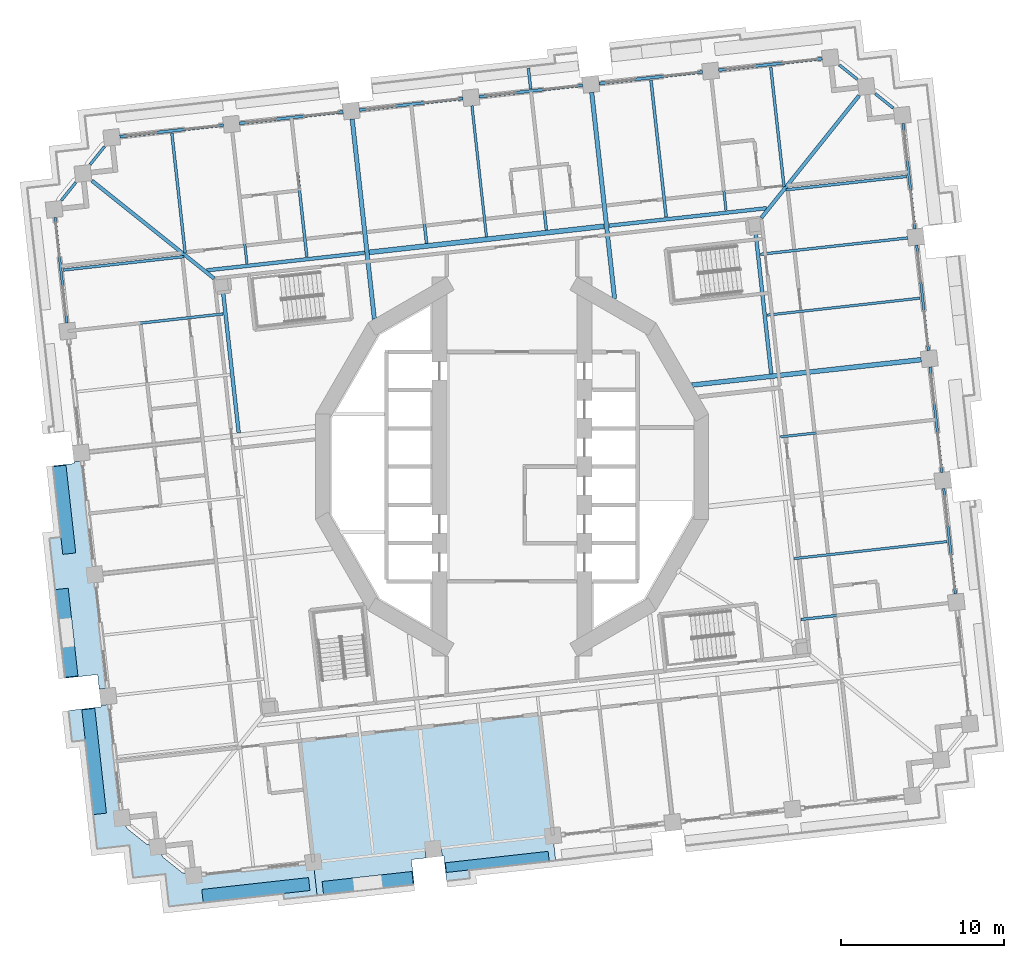
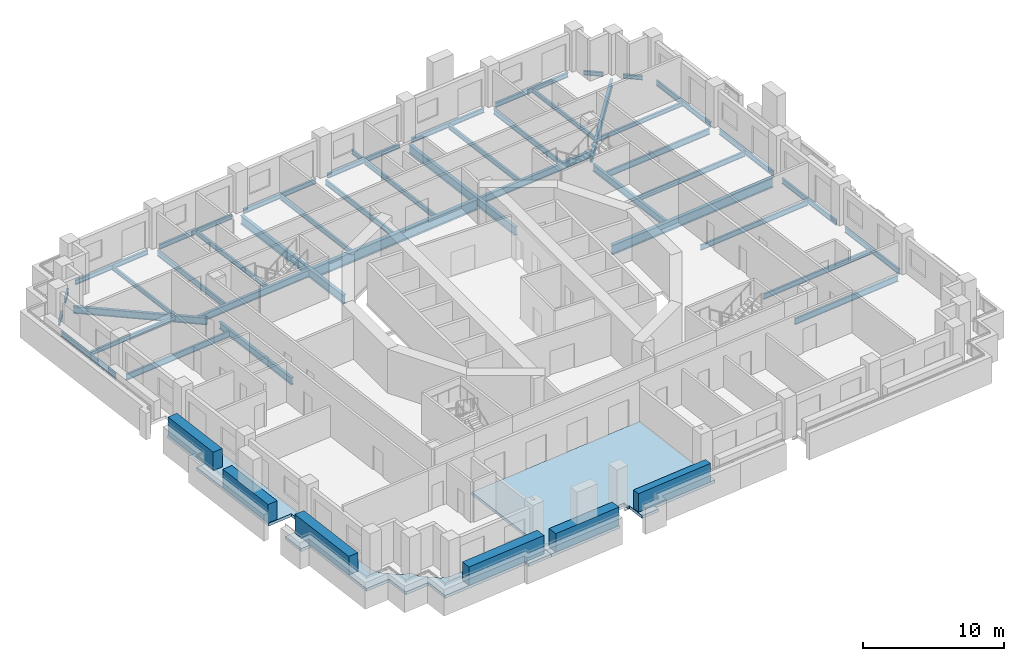
# One storey, part 2 of 18: 43 beams, 6 plates, 3 slabs.
"""IFC4 building model written with IfcOpenShell, lengths in metres."""

from ifc_helpers import new_model, si_unit, direction, frame, origin, origin_2d, place, context, subcontext, project, spatial, polyline, rectangle, i_section, outline, extrude, material, layer, layer_set, material_profile, profile_set, type_object, element, save


model = new_model("IFC4")

# Units and contexts
model_context = context("Model", 3, precision=1e-05, world=origin(), true_north=direction((0.0, 1.0)))
body_context = subcontext(model_context, "Body", "Model", "MODEL_VIEW")
ifc_project = project(units=[si_unit("LENGTHUNIT", "METRE"), si_unit("AREAUNIT", "SQUARE_METRE"), si_unit("VOLUMEUNIT", "CUBIC_METRE"), si_unit("PLANEANGLEUNIT", "RADIAN"), si_unit("MASSUNIT", "GRAM", prefix="KILO")], contexts=[model_context])

# Site, building, storey
site_placement = place(None, origin())
site = spatial("IfcSite", under=ifc_project, at=site_placement, CompositionType="ELEMENT")
building_placement = place(site_placement, origin())
building = spatial("IfcBuilding", under=site, at=building_placement, Name="Cantera Rosa Tower", CompositionType="ELEMENT")
storey_placement = place(building_placement, frame((0.0, 0.0, 76.699951171875)))
storey = spatial("IfcBuildingStorey", under=building, at=storey_placement, Name="L16", CompositionType="ELEMENT", Elevation=76.699951171875)

# Beams
ifc_material_1 = material(Name="Steel ASTM A992 (Fy 345 MPa)", Category="steel")
ifc_material_profile_1 = material_profile(ifc_material_1, i_section(OverallWidth=0.154052734375, OverallDepth=0.4599609375, WebThickness=0.009033203125, FlangeThickness=0.015380859375, FilletRadius=0.01025390625, at=origin_2d()), Name="W460X68")
ifc_profile_set_1 = profile_set([ifc_material_profile_1], Name="Steel ASTM A992 (Fy 345 MPa)")
beam_type_1 = type_object("IfcBeamType", Name="STEEL BEAM W460X68", PredefinedType="BEAM", material=ifc_profile_set_1)
beam_1_placement = place(storey_placement, frame((12.249755859375, 23.796630859375, -0.47998046875), z_axis=(0.110312435488, -0.993896959738, 0.0), x_axis=(0.993896959738, 0.110312435488, 0.0)))
element("IfcBeam", 1, at=beam_1_placement, inside=storey, type_object=beam_type_1, Name="G-Z1-05 L16", PredefinedType="BEAM", context=body_context, shape_type="SweptSolid", body=[
    extrude(i_section(OverallWidth=0.154052734375, OverallDepth=0.4599609375, WebThickness=0.009033203125, FlangeThickness=0.015380859375, FilletRadius=0.01025390625, at=origin_2d()), origin(), (0.0, 0.0, 1.0), 8.10009765625),
])
for number, where, z_axis, x_axis, name in (
    (2, (-2.4599609375, 22.163818359375, -0.47998046875), (0.110315740112, -0.993896592953, 0.0), (0.993896592953, 0.110315740112, 0.0), "G-Z1-07 L16"),
    (3, (-17.169677734375, 20.53125, -0.47998046875), (0.110315740112, -0.993896592953, 0.0), (0.993896592953, 0.110315740112, 0.0), "G-Z1-09 L16"),
):
    element("IfcBeam", number, at=place(storey_placement, frame(where, z_axis=z_axis, x_axis=x_axis)), inside=storey, type_object=beam_type_1, Name=name, PredefinedType="BEAM", context=body_context, shape_type="SweptSolid", body=[
        extrude(i_section(OverallWidth=0.154052734375, OverallDepth=0.4599609375, WebThickness=0.009033203125, FlangeThickness=0.015380859375, FilletRadius=0.01025390625, at=origin_2d()), origin(), (0.0, 0.0, 1.0), 8.099853515625),
    ])
ifc_material_2 = material(Name="Steel ASTM A992 (Fy 345 MPa)", Category="steel")
ifc_material_profile_2 = material_profile(ifc_material_2, i_section(OverallWidth=0.166015625, OverallDepth=0.528076171875, WebThickness=0.009765625, FlangeThickness=0.013671875, FilletRadius=0.0126953125, at=origin_2d()), Name="W530X74")
ifc_profile_set_2 = profile_set([ifc_material_profile_2], Name="Steel ASTM A992 (Fy 345 MPa)")
beam_type_2 = type_object("IfcBeamType", Name="STEEL BEAM W530X74", PredefinedType="BEAM", material=ifc_profile_set_2)
for number, where, z_axis, x_axis, name in (
    (4, (26.78759765625, -8.376220703125, -0.513916015625), (-0.993899428859, -0.110290186845, 0.0), (0.110290186845, -0.993899428859, 0.0), "G-Z1-01 L16"),
    (5, (24.298828125, 14.046142578125, -0.513916015625), (-0.993896161189, -0.110319630049, 0.0), (0.110319630049, -0.993896161189, 0.0), "G-Z1-04 L16"),
    (6, (-26.78759765625, 8.376220703125, -0.513916015625), (0.993899428859, 0.110290186845, 0.0), (-0.110290186845, 0.993899428859, 0.0), "G-Z1-15 L16"),
):
    element("IfcBeam", number, at=place(storey_placement, frame(where, z_axis=z_axis, x_axis=x_axis)), inside=storey, type_object=beam_type_2, Name=name, PredefinedType="BEAM", context=body_context, shape_type="SweptSolid", body=[
        extrude(i_section(OverallWidth=0.166015625, OverallDepth=0.528076171875, WebThickness=0.009765625, FlangeThickness=0.013671875, FilletRadius=0.0126953125, at=origin_2d()), origin(), (0.0, 0.0, 1.0), 9.10009765625),
    ])
ifc_material_3 = material(Name="Steel ASTM A992 (Fy 345 MPa)", Category="steel")
ifc_material_profile_3 = material_profile(ifc_material_3, i_section(OverallWidth=0.22802734375, OverallDepth=0.60205078125, WebThickness=0.010498046875, FlangeThickness=0.014892578125, FilletRadius=0.0126953125, at=origin_2d()), Name="W610X101")
ifc_profile_set_3 = profile_set([ifc_material_profile_3], Name="Steel ASTM A992 (Fy 345 MPa)")
beam_type_3 = type_object("IfcBeamType", Name="STEEL BEAM W610X101", PredefinedType="BEAM", material=ifc_profile_set_3)
beam_2_placement = place(storey_placement, frame((21.31591796875, 22.79052734375, -0.551025390625), z_axis=(-0.624787924463, -0.780794498857, 0.0), x_axis=(0.780794498857, -0.624787924463, 0.0)))
element("IfcBeam", 7, at=beam_2_placement, inside=storey, type_object=beam_type_3, Name="CB-Z1-01 L16", PredefinedType="BEAM", context=body_context, shape_type="SweptSolid", body=[
    extrude(i_section(OverallWidth=0.22802734375, OverallDepth=0.60205078125, WebThickness=0.010498046875, FlangeThickness=0.014892578125, FilletRadius=0.0126953125, at=origin_2d()), origin(), (0.0, 0.0, 1.0), 9.616455078125),
])
beam_3_placement = place(storey_placement, frame((-25.794677734375, 17.561767578125, -0.551025390625), z_axis=(0.78078211406, -0.62480340137, 0.0), x_axis=(0.62480340137, 0.78078211406, 0.0)))
element("IfcBeam", 8, at=beam_3_placement, inside=storey, type_object=beam_type_3, Name="CB-Z1-02 L16", PredefinedType="BEAM", context=body_context, shape_type="SweptSolid", body=[
    extrude(i_section(OverallWidth=0.22802734375, OverallDepth=0.60205078125, WebThickness=0.010498046875, FlangeThickness=0.014892578125, FilletRadius=0.0126953125, at=origin_2d()), origin(), (0.0, 0.0, 1.0), 9.61669921875),
])
for number, where, z_axis, x_axis, name in (
    (9, (15.918212890625, 5.70068359375, -0.551025390625), (-0.110298932846, 0.993898458301, 0.0), (-0.993898458301, -0.110298932846, 0.0), "RB-Z1-09 L16"),
    (10, (-16.781005859375, 2.071533203125, -0.551025390625), (-0.110298932846, 0.993898458301, 0.0), (-0.993898458301, -0.110298932846, 0.0), "RB-Z1-12 L16"),
):
    element("IfcBeam", number, at=place(storey_placement, frame(where, z_axis=z_axis, x_axis=x_axis)), inside=storey, type_object=beam_type_3, Name=name, PredefinedType="BEAM", context=body_context, shape_type="SweptSolid", body=[
        extrude(i_section(OverallWidth=0.22802734375, OverallDepth=0.60205078125, WebThickness=0.010498046875, FlangeThickness=0.014892578125, FilletRadius=0.0126953125, at=origin_2d()), origin(), (0.0, 0.0, 1.0), 8.68994140625),
    ])
ifc_material_4 = material(Name="Steel ASTM A992 (Fy 345 MPa)", Category="steel")
ifc_material_profile_4 = material_profile(ifc_material_4, i_section(OverallWidth=0.22900390625, OverallDepth=0.612060546875, WebThickness=0.011962890625, FlangeThickness=0.01953125, FilletRadius=0.0126953125, at=origin_2d()), Name="W610X125")
ifc_profile_set_4 = profile_set([ifc_material_profile_4], Name="Steel ASTM A992 (Fy 345 MPa)")
beam_type_4 = type_object("IfcBeamType", Name="STEEL BEAM W610X125", PredefinedType="BEAM", material=ifc_profile_set_4)
beam_4_placement = place(storey_placement, frame((-18.744384765625, 12.055908203125, -0.555908203125), z_axis=(0.993898383269, 0.110299608956, 0.0), x_axis=(-0.110299608956, 0.993898383269, 0.0)))
element("IfcBeam", 11, at=beam_4_placement, inside=storey, type_object=beam_type_4, Name="RB-Z1-01 L16", PredefinedType="BEAM", context=body_context, shape_type="SweptSolid", body=[
    extrude(i_section(OverallWidth=0.22900390625, OverallDepth=0.612060546875, WebThickness=0.011962890625, FlangeThickness=0.01953125, FilletRadius=0.0126953125, at=origin_2d()), origin(), (0.0, 0.0, 1.0), 9.750244140625),
])
beam_5_placement = place(storey_placement, frame((5.9541015625, 14.797119140625, -0.555908203125), z_axis=(0.993898078625, 0.110302354035, 0.0), x_axis=(-0.110302354035, 0.993898078625, 0.0)))
element("IfcBeam", 12, at=beam_5_placement, inside=storey, type_object=beam_type_4, Name="RB-Z1-03 L16", PredefinedType="BEAM", context=body_context, shape_type="SweptSolid", body=[
    extrude(i_section(OverallWidth=0.22900390625, OverallDepth=0.612060546875, WebThickness=0.011962890625, FlangeThickness=0.01953125, FilletRadius=0.0126953125, at=origin_2d()), origin(), (0.0, 0.0, 1.0), 9.75),
])
ifc_material_5 = material(Name="Steel ASTM A992 (Fy 345 MPa)", Category="steel")
ifc_material_profile_5 = material_profile(ifc_material_5, i_section(OverallWidth=0.26708984375, OverallDepth=0.75390625, WebThickness=0.01318359375, FlangeThickness=0.01708984375, FilletRadius=0.0166015625, at=origin_2d()), Name="W760X147")
ifc_profile_set_5 = profile_set([ifc_material_profile_5], Name="Steel ASTM A992 (Fy 345 MPa)")
beam_type_5 = type_object("IfcBeamType", Name="STEEL BEAM W760X147", PredefinedType="BEAM", material=ifc_profile_set_5)
beam_6_placement = place(storey_placement, frame((4.894775390625, 22.980224609375, -0.626953125), z_axis=(0.11031177493, -0.993897033053, 0.0), x_axis=(0.993897033053, 0.11031177493, 0.0)))
element("IfcBeam", 13, at=beam_6_placement, inside=storey, type_object=beam_type_5, Name="G-Z1-06 L16", PredefinedType="BEAM", context=body_context, shape_type="SweptSolid", body=[
    extrude(i_section(OverallWidth=0.26708984375, OverallDepth=0.75390625, WebThickness=0.01318359375, FlangeThickness=0.01708984375, FilletRadius=0.0166015625, at=origin_2d()), origin(), (0.0, 0.0, 1.0), 12.754638671875),
])
beam_7_placement = place(storey_placement, frame((-9.814697265625, 21.34765625, -0.626953125), z_axis=(0.110292782244, -0.993899140851, 0.0), x_axis=(0.993899140851, 0.110292782244, 0.0)))
element("IfcBeam", 14, at=beam_7_placement, inside=storey, type_object=beam_type_5, Name="G-Z1-08 L16", PredefinedType="BEAM", context=body_context, shape_type="SweptSolid", body=[
    extrude(i_section(OverallWidth=0.26708984375, OverallDepth=0.75390625, WebThickness=0.01318359375, FlangeThickness=0.01708984375, FilletRadius=0.0166015625, at=origin_2d()), origin(), (0.0, 0.0, 1.0), 12.360595703125),
])
ifc_material_6 = material(Name="Steel ASTM A992 (Fy 345 MPa)", Category="steel")
ifc_material_profile_6 = material_profile(ifc_material_6, i_section(OverallWidth=0.2919921875, OverallDepth=0.8359375, WebThickness=0.013916015625, FlangeThickness=0.018798828125, FilletRadius=0.017822265625, at=origin_2d()), Name="W840X176")
ifc_profile_set_6 = profile_set([ifc_material_profile_6], Name="Steel ASTM A992 (Fy 345 MPa)")
beam_type_6 = type_object("IfcBeamType", Name="STEEL BEAM W840X176", PredefinedType="BEAM", material=ifc_profile_set_6)
beam_8_placement = place(storey_placement, frame((25.12841796875, 6.572021484375, -0.66796875), z_axis=(-0.993897599241, -0.110306673519, 0.0), x_axis=(0.110306673519, -0.993897599241, 0.0)))
element("IfcBeam", 15, at=beam_8_placement, inside=storey, type_object=beam_type_6, Name="G-Z1-03 L16", PredefinedType="BEAM", context=body_context, shape_type="SweptSolid", body=[
    extrude(i_section(OverallWidth=0.2919921875, OverallDepth=0.8359375, WebThickness=0.013916015625, FlangeThickness=0.018798828125, FilletRadius=0.017822265625, at=origin_2d()), origin(), (0.0, 0.0, 1.0), 14.1650390625),
])
ifc_material_7 = material(Name="Steel ASTM A992 (Fy 345 MPa)", Category="steel")
ifc_material_profile_7 = material_profile(ifc_material_7, i_section(OverallWidth=0.304931640625, OverallDepth=0.9189453125, WebThickness=0.017333984375, FlangeThickness=0.02783203125, FilletRadius=0.01904296875, at=origin_2d()), Name="W920X253")
ifc_profile_set_7 = profile_set([ifc_material_profile_7], Name="Steel ASTM A992 (Fy 345 MPa)")
beam_type_7 = type_object("IfcBeamType", Name="STEEL BEAM W920X253", PredefinedType="BEAM", material=ifc_profile_set_7)
beam_9_placement = place(storey_placement, frame((-8.755615234375, 13.16455078125, -0.70947265625), z_axis=(0.993898099692, 0.110302164209, 0.0), x_axis=(-0.110302164209, 0.993898099692, 0.0)))
element("IfcBeam", 16, at=beam_9_placement, inside=storey, type_object=beam_type_7, Name="RB-Z1-02 L16", PredefinedType="BEAM", context=body_context, shape_type="SweptSolid", body=[
    extrude(i_section(OverallWidth=0.304931640625, OverallDepth=0.9189453125, WebThickness=0.017333984375, FlangeThickness=0.02783203125, FilletRadius=0.01904296875, at=origin_2d()), origin(), (0.0, 0.0, 1.0), 14.499755859375),
])
ifc_material_8 = material(Name="Steel ASTM A992 (Fy 345 MPa)", Category="steel")
ifc_material_profile_8 = material_profile(ifc_material_8, i_section(OverallWidth=0.1708984375, OverallDepth=0.35595703125, WebThickness=0.00732421875, FlangeThickness=0.01171875, FilletRadius=0.010009765625, at=origin_2d()), Name="W360X51")
ifc_profile_set_8 = profile_set([ifc_material_profile_8], Name="Steel ASTM A992 (Fy 345 MPa)")
beam_type_8 = type_object("IfcBeamType", Name="STEEL JOIST W360X51", PredefinedType="JOIST", material=ifc_profile_set_8)
beam_10_placement = place(storey_placement, frame((24.23193359375, 17.82177734375, -0.427978515625), z_axis=(-0.993899688369, -0.110287848199, 0.0), x_axis=(0.110287848199, -0.993899688369, 0.0)))
element("IfcBeam", 17, at=beam_10_placement, inside=storey, type_object=beam_type_8, Name="B-Z1-05 L16", PredefinedType="JOIST", context=body_context, shape_type="SweptSolid", body=[
    extrude(i_section(OverallWidth=0.1708984375, OverallDepth=0.35595703125, WebThickness=0.00732421875, FlangeThickness=0.01171875, FilletRadius=0.010009765625, at=origin_2d()), origin(), (0.0, 0.0, 1.0), 7.4599609375),
])
for number, where, z_axis, x_axis, name in (
    (18, (15.888427734375, 24.552490234375, -0.427978515625), (0.110326513132, -0.993895397162, 0.0), (0.993895397162, 0.110326513132, 0.0), "B-Z1-06 L16"),
    (19, (-20.8857421875, 20.470947265625, -0.427978515625), (0.110326513132, -0.993895397162, 0.0), (0.993895397162, 0.110326513132, 0.0), "B-Z1-11 L16"),
):
    element("IfcBeam", number, at=place(storey_placement, frame(where, z_axis=z_axis, x_axis=x_axis)), inside=storey, type_object=beam_type_8, Name=name, PredefinedType="JOIST", context=body_context, shape_type="SweptSolid", body=[
        extrude(i_section(OverallWidth=0.1708984375, OverallDepth=0.35595703125, WebThickness=0.00732421875, FlangeThickness=0.01171875, FilletRadius=0.010009765625, at=origin_2d()), origin(), (0.0, 0.0, 1.0), 7.39990234375),
    ])
beam_11_placement = place(storey_placement, frame((-27.550048828125, 12.074462890625, -0.427978515625), z_axis=(0.993895702238, 0.110323764768, 0.0), x_axis=(-0.110323764768, 0.993895702238, 0.0)))
element("IfcBeam", 20, at=beam_11_placement, inside=storey, type_object=beam_type_8, Name="B-Z1-18 L16", PredefinedType="JOIST", context=body_context, shape_type="SweptSolid", body=[
    extrude(i_section(OverallWidth=0.1708984375, OverallDepth=0.35595703125, WebThickness=0.00732421875, FlangeThickness=0.01171875, FilletRadius=0.010009765625, at=origin_2d()), origin(), (0.0, 0.0, 1.0), 7.4599609375),
])
beam_12_placement = place(storey_placement, frame((1.14794921875, 23.1982421875, -0.427978515625), z_axis=(-0.110220767472, 0.993907129675, 0.0), x_axis=(-0.993907129675, -0.110220767472, 0.0)))
element("IfcBeam", 21, at=beam_12_placement, inside=storey, type_object=beam_type_8, Name="BS-Z1-20 L16", PredefinedType="JOIST", context=body_context, shape_type="SweptSolid", body=[
    extrude(i_section(OverallWidth=0.1708984375, OverallDepth=0.35595703125, WebThickness=0.00732421875, FlangeThickness=0.01171875, FilletRadius=0.010009765625, at=origin_2d()), origin(), (0.0, 0.0, 1.0), 1.271484375),
])
ifc_material_9 = material(Name="Steel ASTM A992 (Fy 345 MPa)", Category="steel")
ifc_material_profile_9 = material_profile(ifc_material_9, i_section(OverallWidth=0.177978515625, OverallDepth=0.406005859375, WebThickness=0.0078125, FlangeThickness=0.0126953125, FilletRadius=0.01025390625, at=origin_2d()), Name="W410X60")
ifc_profile_set_9 = profile_set([ifc_material_profile_9], Name="Steel ASTM A992 (Fy 345 MPa)")
beam_type_9 = type_object("IfcBeamType", Name="STEEL JOIST W410X60", PredefinedType="JOIST", material=ifc_profile_set_9)
for number, where, z_axis, x_axis, name in (
    (22, (8.53369140625, 23.736328125, -0.452880859375), (0.110311022989, -0.99389711651, 0.0), (0.99389711651, 0.110311022989, 0.0), "B-Z1-07 L16"),
    (23, (1.178955078125, 22.919921875, -0.452880859375), (0.110311022989, -0.99389711651, 0.0), (0.99389711651, 0.110311022989, 0.0), "B-Z1-08 L16"),
    (24, (-6.176025390625, 22.103515625, -0.452880859375), (0.110311022989, -0.99389711651, 0.0), (0.99389711651, 0.110311022989, 0.0), "B-Z1-09 L16"),
    (25, (-13.53076171875, 21.287353515625, -0.452880859375), (0.110311022989, -0.99389711651, 0.0), (0.99389711651, 0.110311022989, 0.0), "B-Z1-10 L16"),
):
    element("IfcBeam", number, at=place(storey_placement, frame(where, z_axis=z_axis, x_axis=x_axis)), inside=storey, type_object=beam_type_9, Name=name, PredefinedType="JOIST", context=body_context, shape_type="SweptSolid", body=[
        extrude(i_section(OverallWidth=0.177978515625, OverallDepth=0.406005859375, WebThickness=0.0078125, FlangeThickness=0.0126953125, FilletRadius=0.01025390625, at=origin_2d()), origin(), (0.0, 0.0, 1.0), 8.449951171875),
    ])
ifc_material_10 = material(Name="Steel ASTM A992 (Fy 345 MPa)", Category="steel")
ifc_material_profile_10 = material_profile(ifc_material_10, i_section(OverallWidth=0.154052734375, OverallDepth=0.4599609375, WebThickness=0.009033203125, FlangeThickness=0.015380859375, FilletRadius=0.01025390625, at=origin_2d()), Name="W460X68")
ifc_profile_set_10 = profile_set([ifc_material_profile_10], Name="Steel ASTM A992 (Fy 345 MPa)")
beam_type_10 = type_object("IfcBeamType", Name="STEEL JOIST W460X68", PredefinedType="JOIST", material=ifc_profile_set_10)
for number, where, z_axis, x_axis, name in (
    (26, (26.720458984375, -4.600341796875, -0.47998046875), (-0.993896645353, -0.110315268011, 0.0), (0.110315268011, -0.993896645353, 0.0), "B-Z1-02 L16"),
    (27, (25.89111328125, 2.87353515625, -0.47998046875), (-0.993899477629, -0.110289747342, 0.0), (0.110289747342, -0.993899477629, 0.0), "B-Z1-03 L16"),
    (28, (25.0615234375, 10.34765625, -0.47998046875), (-0.993896645353, -0.110315268011, 0.0), (0.110315268011, -0.993896645353, 0.0), "B-Z1-04 L16"),
):
    element("IfcBeam", number, at=place(storey_placement, frame(where, z_axis=z_axis, x_axis=x_axis)), inside=storey, type_object=beam_type_10, Name=name, PredefinedType="JOIST", context=body_context, shape_type="SweptSolid", body=[
        extrude(i_section(OverallWidth=0.154052734375, OverallDepth=0.4599609375, WebThickness=0.009033203125, FlangeThickness=0.015380859375, FilletRadius=0.01025390625, at=origin_2d()), origin(), (0.0, 0.0, 1.0), 9.449951171875),
    ])
ifc_material_11 = material(Name="Steel ASTM A992 (Fy 345 MPa)", Category="steel")
ifc_material_profile_11 = material_profile(ifc_material_11, i_section(OverallWidth=0.1708984375, OverallDepth=0.35595703125, WebThickness=0.00732421875, FlangeThickness=0.01171875, FilletRadius=0.010009765625, at=origin_2d()), Name="W360X51")
ifc_profile_set_11 = profile_set([ifc_material_profile_11], Name="Steel ASTM A992 (Fy 345 MPa)")
beam_type_11 = type_object("IfcBeamType", Name="STEEL SPANDREL BEAM W360X51", PredefinedType="SPANDREL", material=ifc_profile_set_11)
for number, where, z_axis, x_axis, name in (
    (29, (23.4140625, 22.017333984375, -0.427978515625), (-0.780818280208, 0.624758203863, 0.0), (-0.624758203863, -0.780818280208, 0.0), "EB-Z1-06 L16"),
    (30, (21.205810546875, 23.784423828125, -0.427978515625), (-0.780818280208, 0.624758203863, 0.0), (-0.624758203863, -0.780818280208, 0.0), "EB-Z1-07 L16"),
    (31, (-25.021484375, 19.659912109375, -0.427978515625), (-0.624758203863, -0.780818280208, 0.0), (0.780818280208, -0.624758203863, 0.0), "EB-Z1-14 L16"),
    (32, (-26.78857421875, 17.451416015625, -0.427978515625), (-0.624758203863, -0.780818280208, 0.0), (0.780818280208, -0.624758203863, 0.0), "EB-Z1-15 L16"),
):
    element("IfcBeam", number, at=place(storey_placement, frame(where, z_axis=z_axis, x_axis=x_axis)), inside=storey, type_object=beam_type_11, Name=name, PredefinedType="SPANDREL", context=body_context, shape_type="SweptSolid", body=[
        extrude(i_section(OverallWidth=0.1708984375, OverallDepth=0.35595703125, WebThickness=0.00732421875, FlangeThickness=0.01171875, FilletRadius=0.010009765625, at=origin_2d()), origin(), (0.0, 0.0, 1.0), 1.414306640625),
    ])
ifc_material_12 = material(Name="Steel ASTM A992 (Fy 345 MPa)", Category="steel")
ifc_material_profile_12 = material_profile(ifc_material_12, i_section(OverallWidth=0.177978515625, OverallDepth=0.406005859375, WebThickness=0.0078125, FlangeThickness=0.0126953125, FilletRadius=0.01025390625, at=origin_2d()), Name="W410X60")
ifc_profile_set_12 = profile_set([ifc_material_profile_12], Name="Steel ASTM A992 (Fy 345 MPa)")
beam_type_12 = type_object("IfcBeamType", Name="STEEL SPANDREL BEAM W410X60", PredefinedType="SPANDREL", material=ifc_profile_set_12)
beam_13_placement = place(storey_placement, frame((19.052490234375, 25.0546875, -0.452880859375), z_axis=(-0.993896288542, -0.110318482689, 0.0), x_axis=(0.110318482689, -0.993896288542, 0.0)))
element("IfcBeam", 33, at=beam_13_placement, inside=storey, type_object=beam_type_12, Name="EB-Z1-08 L16", PredefinedType="SPANDREL", context=body_context, shape_type="SweptSolid", body=[
    extrude(i_section(OverallWidth=0.177978515625, OverallDepth=0.406005859375, WebThickness=0.0078125, FlangeThickness=0.0126953125, FilletRadius=0.01025390625, at=origin_2d()), origin(), (0.0, 0.0, 1.0), 6.400146484375),
])
for number, where, z_axis, x_axis, name in (
    (34, (11.697509765625, 24.23828125, -0.452880859375), (-0.993895824271, -0.110322665379, 0.0), (0.110322665379, -0.993895824271, 0.0), "EB-Z1-09 L16"),
    (35, (4.3427734375, 23.422119140625, -0.452880859375), (-0.993895824271, -0.110322665379, 0.0), (0.110322665379, -0.993895824271, 0.0), "EB-Z1-10 L16"),
):
    element("IfcBeam", number, at=place(storey_placement, frame(where, z_axis=z_axis, x_axis=x_axis)), inside=storey, type_object=beam_type_12, Name=name, PredefinedType="SPANDREL", context=body_context, shape_type="SweptSolid", body=[
        extrude(i_section(OverallWidth=0.177978515625, OverallDepth=0.406005859375, WebThickness=0.0078125, FlangeThickness=0.0126953125, FilletRadius=0.01025390625, at=origin_2d()), origin(), (0.0, 0.0, 1.0), 6.39990234375),
    ])
beam_14_placement = place(storey_placement, frame((-3.011962890625, 22.605712890625, -0.452880859375), z_axis=(-0.993896288542, -0.110318482689, 0.0), x_axis=(0.110318482689, -0.993896288542, 0.0)))
element("IfcBeam", 36, at=beam_14_placement, inside=storey, type_object=beam_type_12, Name="EB-Z1-11 L16", PredefinedType="SPANDREL", context=body_context, shape_type="SweptSolid", body=[
    extrude(i_section(OverallWidth=0.177978515625, OverallDepth=0.406005859375, WebThickness=0.0078125, FlangeThickness=0.0126953125, FilletRadius=0.01025390625, at=origin_2d()), origin(), (0.0, 0.0, 1.0), 6.400146484375),
])
beam_15_placement = place(storey_placement, frame((-10.366943359375, 21.789306640625, -0.452880859375), z_axis=(-0.993900006422, -0.110284981906, 0.0), x_axis=(0.110284981906, -0.993900006422, 0.0)))
element("IfcBeam", 37, at=beam_15_placement, inside=storey, type_object=beam_type_12, Name="EB-Z1-12 L16", PredefinedType="SPANDREL", context=body_context, shape_type="SweptSolid", body=[
    extrude(i_section(OverallWidth=0.177978515625, OverallDepth=0.406005859375, WebThickness=0.0078125, FlangeThickness=0.0126953125, FilletRadius=0.01025390625, at=origin_2d()), origin(), (0.0, 0.0, 1.0), 6.39990234375),
])
beam_16_placement = place(storey_placement, frame((-17.7216796875, 20.97314453125, -0.452880859375), z_axis=(-0.993896288542, -0.110318482689, 0.0), x_axis=(0.110318482689, -0.993896288542, 0.0)))
element("IfcBeam", 38, at=beam_16_placement, inside=storey, type_object=beam_type_12, Name="EB-Z1-13 L16", PredefinedType="SPANDREL", context=body_context, shape_type="SweptSolid", body=[
    extrude(i_section(OverallWidth=0.177978515625, OverallDepth=0.406005859375, WebThickness=0.0078125, FlangeThickness=0.0126953125, FilletRadius=0.01025390625, at=origin_2d()), origin(), (0.0, 0.0, 1.0), 6.400146484375),
])
ifc_material_13 = material(Name="Steel ASTM A992 (Fy 345 MPa)", Category="steel")
ifc_material_profile_13 = material_profile(ifc_material_13, i_section(OverallWidth=0.154052734375, OverallDepth=0.4599609375, WebThickness=0.009033203125, FlangeThickness=0.015380859375, FilletRadius=0.01025390625, at=origin_2d()), Name="W460X68")
ifc_profile_set_13 = profile_set([ifc_material_profile_13], Name="Steel ASTM A992 (Fy 345 MPa)")
beam_type_13 = type_object("IfcBeamType", Name="STEEL SPANDREL BEAM W460X68", PredefinedType="SPANDREL", material=ifc_profile_set_13)
for number, where, z_axis, x_axis, name in (
    (39, (27.229248046875, -7.823974609375, -0.47998046875), (-0.110312341265, 0.993896970196, 0.0), (-0.993896970196, -0.110312341265, 0.0), "EB-Z1-02 L16"),
    (40, (26.399658203125, -0.349853515625, -0.47998046875), (-0.110312341265, 0.993896970196, 0.0), (-0.993896970196, -0.110312341265, 0.0), "EB-Z1-03 L16"),
    (41, (25.570068359375, 7.124267578125, -0.47998046875), (-0.110312341265, 0.993896970196, 0.0), (-0.993896970196, -0.110312341265, 0.0), "EB-Z1-04 L16"),
    (42, (24.74072265625, 14.598388671875, -0.47998046875), (-0.110312341265, 0.993896970196, 0.0), (-0.993896970196, -0.110312341265, 0.0), "EB-Z1-05 L16"),
    (43, (-28.058837890625, 15.298095703125, -0.47998046875), (0.110312341265, -0.993896970196, 0.0), (0.993896970196, 0.110312341265, 0.0), "EB-Z1-16 L16"),
):
    element("IfcBeam", number, at=place(storey_placement, frame(where, z_axis=z_axis, x_axis=x_axis)), inside=storey, type_object=beam_type_13, Name=name, PredefinedType="SPANDREL", context=body_context, shape_type="SweptSolid", body=[
        extrude(i_section(OverallWidth=0.154052734375, OverallDepth=0.4599609375, WebThickness=0.009033203125, FlangeThickness=0.015380859375, FilletRadius=0.01025390625, at=origin_2d()), origin(), (0.0, 0.0, 1.0), 6.52001953125),
    ])

# Slabs
ifc_material_14 = material(Name="Concrete C35/45", Category="concrete")
ifc_layer_1 = layer(ifc_material_14, 0.25)
ifc_layer_set_1 = layer_set([ifc_layer_1], Name="LOGGIA SLAB 250 C35/45")
slab_type_1 = type_object("IfcSlabType", Name="LOGGIA SLAB 250 C35/45", PredefinedType="FLOOR", material=ifc_layer_set_1)
slab_1_placement = place(storey_placement, frame((0.0, 0.0, -0.25)))
element("IfcSlab", 44, at=slab_1_placement, inside=storey, type_object=slab_type_1, Name="LOGGIA SLAB L16 1", PredefinedType="FLOOR", context=body_context, shape_type="SweptSolid", body=[
    extrude(outline(polyline([(-26.399658203125, 0.349853515625), (-24.850830078125, -13.6044921875), (-25.347900390625, -13.65966796875), (-25.447265625, -12.764892578125), (-27.44140625, -12.986328125), (-28.39306640625, -4.41259765625), (-27.701904296875, -4.335693359375), (-28.18896484375, 0.05078125), (-26.885498046875, 0.1953125), (-26.896728515625, 0.294921875), (-26.399658203125, 0.349853515625)])), origin(), (0.0, 0.0, 1.0), 0.25),
])
slab_2_placement = place(storey_placement, frame((0.0, 0.0, -0.25)))
element("IfcSlab", 45, at=slab_2_placement, inside=storey, type_object=slab_type_1, Name="LOGGIA SLAB L16 3", PredefinedType="FLOOR", context=body_context, shape_type="SweptSolid", body=[
    extrude(outline(polyline([(-21.272216796875, -24.999267578125), (-21.5703125, -25.0322265625), (-23.260009765625, -25.2197265625), (-23.447509765625, -23.5302734375), (-23.48046875, -23.23193359375), (-23.77880859375, -23.26513671875), (-25.46826171875, -23.45263671875), (-25.65576171875, -21.762939453125), (-26.208984375, -16.780029296875), (-27.010498046875, -16.869140625), (-27.220947265625, -14.97412109375), (-25.2265625, -14.752685546875), (-25.237548828125, -14.653564453125), (-24.740478515625, -14.598388671875), (-23.96630859375, -21.575439453125), (-23.677001953125, -22.161865234375), (-23.66162109375, -22.18701171875), (-23.643798828125, -22.21044921875), (-23.62353515625, -22.23193359375), (-23.6015625, -22.25146484375), (-22.497314453125, -23.135009765625), (-22.473388671875, -23.15234375), (-22.447998046875, -23.1669921875), (-22.42138671875, -23.179443359375), (-22.393310546875, -23.18896484375), (-21.7578125, -23.342529296875), (-21.468505859375, -23.92919921875), (-21.453125, -23.9541015625), (-21.435302734375, -23.9775390625), (-21.415283203125, -23.999267578125), (-21.39306640625, -24.018798828125), (-20.288818359375, -24.902099609375), (-20.26513671875, -24.91943359375), (-20.239501953125, -24.934326171875), (-20.212890625, -24.946533203125), (-20.18505859375, -24.9560546875), (-19.54931640625, -25.10986328125), (-18.642578125, -25.00927734375), (-12.194580078125, -24.29345703125), (-11.970703125, -26.309326171875), (-13.98681640625, -26.533203125), (-14.02294921875, -26.206787109375), (-19.36181640625, -26.79931640625), (-21.051513671875, -26.98681640625), (-21.239013671875, -25.29736328125), (-21.272216796875, -24.999267578125)])), origin(), (0.0, 0.0, 1.0), 0.25),
])

# Plates
ifc_material_15 = material(Name="Cantera stone planter with soil", Category="masonry")
plate_type_1 = type_object("IfcPlateType", Name="PLANTER 600", PredefinedType="USERDEFINED", material=ifc_material_15)
plate_1_placement = place(storey_placement, frame((-0.9033203125, -24.269287109375, 0.0), z_axis=(0.0, 0.0, 1.0), x_axis=(0.993896946415, 0.110312555526, 0.0)))
element("IfcPlate", 46, at=plate_1_placement, inside=storey, type_object=plate_type_1, Name="PLANTER L16-19", ObjectType="PLANTER", PredefinedType="USERDEFINED", context=body_context, shape_type="SweptSolid", body=[
    extrude(rectangle(XDim=6.35009765625, YDim=0.60009765625, at=origin_2d()), origin(), (0.0, 0.0, 1.0), 1.60009765625),
])
ifc_material_16 = material(Name="Cantera stone planter with soil", Category="masonry")
plate_type_2 = type_object("IfcPlateType", Name="PLANTER 800", PredefinedType="USERDEFINED", material=ifc_material_16)
for number, where, z_axis, x_axis, name in (
    (47, (-27.48681640625, -2.648193359375, 0.0), (0.0, 0.0, 1.0), (0.110312555526, -0.993896946415, 0.0), "PLANTER L16-14"),
    (48, (-27.348388671875, -10.19921875, 0.0), (0.0, 0.0, 1.0), (0.110312555526, -0.993896946415, 0.0), "PLANTER L16-15"),
):
    element("IfcPlate", number, at=place(storey_placement, frame(where, z_axis=z_axis, x_axis=x_axis)), inside=storey, type_object=plate_type_2, Name=name, ObjectType="PLANTER", PredefinedType="USERDEFINED", context=body_context, shape_type="SweptSolid", body=[
        extrude(rectangle(XDim=5.419921875, YDim=0.800048828125, at=origin_2d()), origin(), (0.0, 0.0, 1.0), 1.60009765625),
    ])
plate_2_placement = place(storey_placement, frame((-25.6591796875, -18.10595703125, 0.0), z_axis=(0.0, 0.0, 1.0), x_axis=(0.110312555526, -0.993896946415, 0.0)))
element("IfcPlate", 49, at=plate_2_placement, inside=storey, type_object=plate_type_2, Name="PLANTER L16-16", ObjectType="PLANTER", PredefinedType="USERDEFINED", context=body_context, shape_type="SweptSolid", body=[
    extrude(rectangle(XDim=6.469970703125, YDim=0.800048828125, at=origin_2d()), origin(), (0.0, 0.0, 1.0), 1.60009765625),
])
plate_3_placement = place(storey_placement, frame((-15.728515625, -25.99365234375, 0.0), z_axis=(0.0, 0.0, 1.0), x_axis=(0.993896946415, 0.110312555526, 0.0)))
element("IfcPlate", 50, at=plate_3_placement, inside=storey, type_object=plate_type_2, Name="PLANTER L16-17", ObjectType="PLANTER", PredefinedType="USERDEFINED", context=body_context, shape_type="SweptSolid", body=[
    extrude(rectangle(XDim=6.60009765625, YDim=0.800048828125, at=origin_2d()), origin(), (0.0, 0.0, 1.0), 1.60009765625),
])
plate_4_placement = place(storey_placement, frame((-8.859375, -25.5615234375, 0.0), z_axis=(0.0, 0.0, 1.0), x_axis=(0.993896946415, 0.110312555526, 0.0)))
element("IfcPlate", 51, at=plate_4_placement, inside=storey, type_object=plate_type_2, Name="PLANTER L16-18", ObjectType="PLANTER", PredefinedType="USERDEFINED", context=body_context, shape_type="SweptSolid", body=[
    extrude(rectangle(XDim=5.550048828125, YDim=0.800048828125, at=origin_2d()), origin(), (0.0, 0.0, 1.0), 1.60009765625),
])

# Slab
ifc_material_17 = material(Name="Concrete C35/45", Category="concrete")
ifc_layer_2 = layer(ifc_material_17, 0.25)
ifc_layer_set_2 = layer_set([ifc_layer_2], Name="TERRACE SLAB 250 C35/45")
slab_type_2 = type_object("IfcSlabType", Name="TERRACE SLAB 250 C35/45", PredefinedType="FLOOR", material=ifc_layer_set_2)
slab_3_placement = place(storey_placement, frame((0.0, 0.0, -0.25)))
element("IfcSlab", 52, at=slab_3_placement, inside=storey, type_object=slab_type_2, Name="TERRACE SLAB L16 1", PredefinedType="FLOOR", context=body_context, shape_type="SweptSolid", body=[
    extrude(outline(polyline([(2.68310546875, -24.173095703125), (-2.656005859375, -24.765625), (-2.60009765625, -25.269287109375), (-4.01953125, -25.4267578125), (-4.188232421875, -23.907958984375), (-4.28759765625, -23.9189453125), (-4.3427734375, -23.422119140625), (-5.336669921875, -23.5322265625), (-5.281494140625, -24.029296875), (-6.176025390625, -24.12841796875), (-6.00732421875, -25.6474609375), (-11.970703125, -26.309326171875), (-12.194580078125, -24.29345703125), (-13.02197265625, -16.839111328125), (1.687744140625, -15.20654296875), (2.51513671875, -22.660888671875), (2.68310546875, -24.173095703125)])), origin(), (0.0, 0.0, 1.0), 0.25),
])

save(model, "model.ifc")
